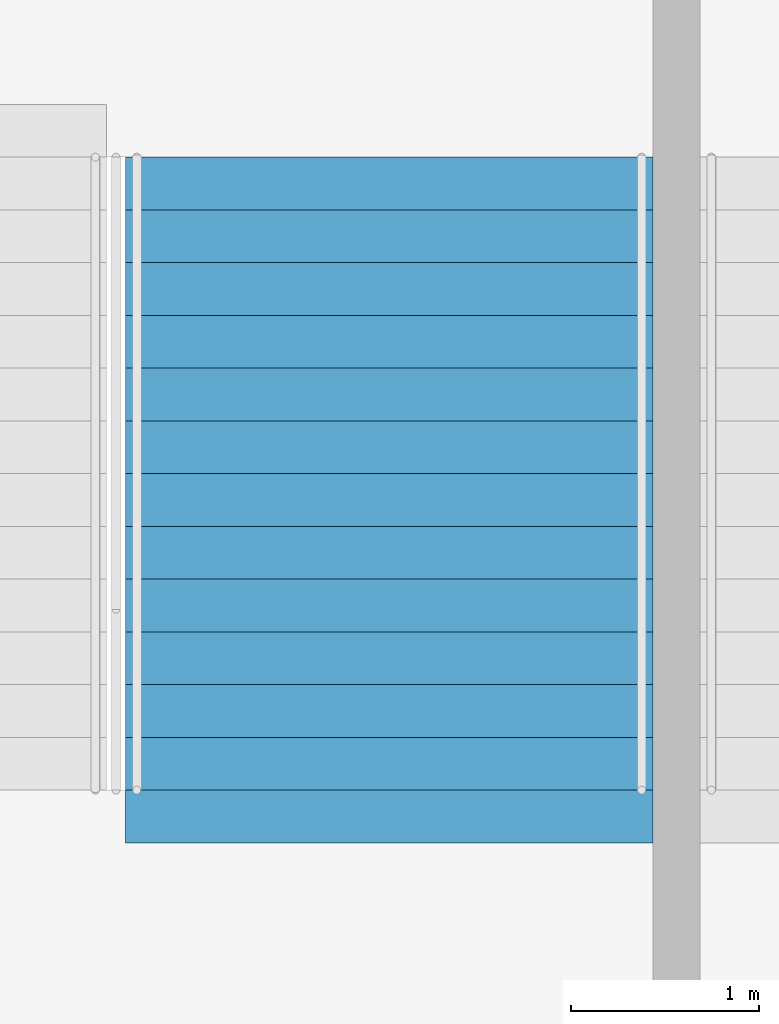
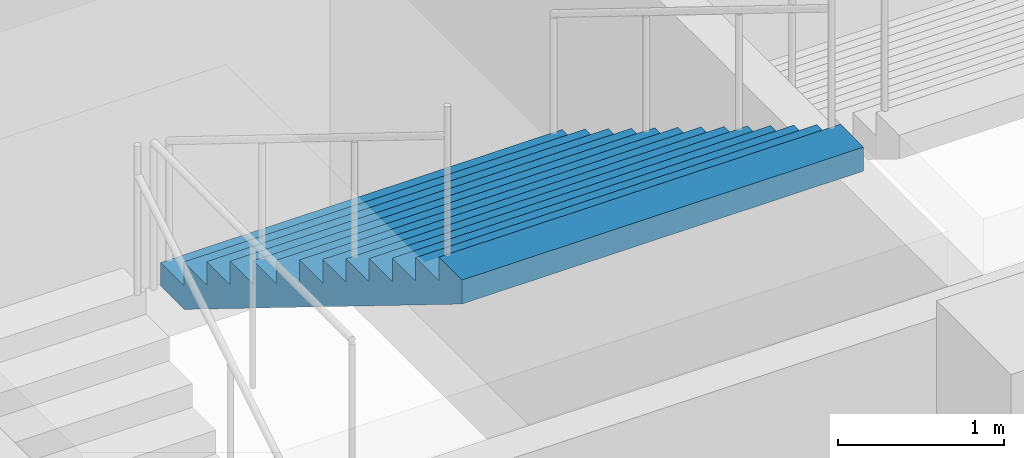
# One storey, part 137 of 175: 1 stair flight, 1 element without a shape of its own.
"""IFC4 building model written with IfcOpenShell, lengths in metres."""

import ifcopenshell
import ifcopenshell.guid

model = None  # the IFC model being written
_history = None  # IfcOwnerHistory: only IFC2X3 demands one
_inside = {}  # id of a spatial element -> (the spatial element, [elements in it])
_under = {}  # id of a project, library or spatial element -> (it, [spatial elements below it])
_declared = {}  # id of a project -> (the project, [libraries it declares])
_typed = {}  # id of a type object -> (the type object, [elements of that type])
_made_of = {}  # id of a material, layer set ... -> (it, [elements and type objects made of it])


def new_model(schema):
    """Start an empty IFC model of exactly this schema.

    Asked for "IFC4X3", IfcOpenShell would pick the latest addendum, in which some entities
    have other attributes; the version numbers below select the first issue.
    IFC2X3 requires an IfcOwnerHistory on every rooted entity: one is made here for all.
    """
    global model, _history
    if schema == "IFC4X3":
        model = ifcopenshell.file(schema_version=(4, 3, 0, 0))
    else:
        model = ifcopenshell.file(schema=schema)
    _inside.clear()
    _under.clear()
    _declared.clear()
    _typed.clear()
    _made_of.clear()
    _history = None
    if model.schema == "IFC2X3":
        org = make("IfcOrganization", Name="unknown")
        user = make(
            "IfcPersonAndOrganization",
            ThePerson=make("IfcPerson", FamilyName="unknown"),
            TheOrganization=org,
        )
        app = make(
            "IfcApplication",
            ApplicationDeveloper=org,
            Version="unknown",
            ApplicationFullName="unknown",
            ApplicationIdentifier="unknown",
        )
        _history = make(
            "IfcOwnerHistory",
            OwningUser=user,
            OwningApplication=app,
            ChangeAction="ADDED",
            CreationDate=0,
        )
    return model


def make(cls, **values):
    """One entity of the class cls with the attributes given. An attribute that is None is left unset."""
    return model.create_entity(
        cls, **{name: value for name, value in values.items() if value is not None}
    )


def rooted(cls, **values):
    """An entity with a GlobalId (a new one), such as an element, a storey or a relation."""
    return make(cls, GlobalId=ifcopenshell.guid.new(), OwnerHistory=_history, **values)


def si_unit(unit_type, name, prefix=None):
    """IfcSIUnit, for example si_unit("LENGTHUNIT", "METRE", prefix="MILLI")."""
    return make("IfcSIUnit", UnitType=unit_type, Prefix=prefix, Name=name)


def assignment(units):
    """IfcUnitAssignment: the units of a project."""
    return None if units is None else make("IfcUnitAssignment", Units=units)


def point(xyz):
    """IfcCartesianPoint."""
    return None if xyz is None else make("IfcCartesianPoint", Coordinates=xyz)


def direction(xyz):
    """IfcDirection."""
    return None if xyz is None else make("IfcDirection", DirectionRatios=xyz)


def frame(location, z_axis=None, x_axis=None):
    """IfcAxis2Placement3D, a coordinate frame: its origin and axes. An axis left out is left unset."""
    return make(
        "IfcAxis2Placement3D",
        Location=point(location),
        Axis=direction(z_axis),
        RefDirection=direction(x_axis),
    )


def origin():
    """The frame at (0, 0, 0) with its axes left unset."""
    return frame((0.0, 0.0, 0.0))


def place(relative_to, where):
    """IfcLocalPlacement: puts the frame where relative to a parent placement (None: the world)."""
    return make(
        "IfcLocalPlacement", PlacementRelTo=relative_to, RelativePlacement=where
    )


def context(
    kind, dimensions, precision=None, world=None, true_north=None, identifier=None
):
    """IfcGeometricRepresentationContext, for example the 3D "Model" context."""
    return make(
        "IfcGeometricRepresentationContext",
        ContextIdentifier=identifier,
        ContextType=kind,
        CoordinateSpaceDimension=dimensions,
        Precision=precision,
        WorldCoordinateSystem=world,
        TrueNorth=true_north,
    )


def subcontext(parent, identifier, kind, view, scale=None):
    """IfcGeometricRepresentationSubContext, for example "Body" below "Model"."""
    return make(
        "IfcGeometricRepresentationSubContext",
        ContextIdentifier=identifier,
        ContextType=kind,
        ParentContext=parent,
        TargetScale=scale,
        TargetView=view,
    )


def project(units=None, contexts=None):
    """IfcProject with its units and contexts."""
    return rooted(
        "IfcProject",
        Name="project",
        RepresentationContexts=contexts,
        UnitsInContext=assignment(units),
    )


def spatial(cls, under=None, at=None, **own):
    """A site, building, storey or space (cls), placed at a placement, below another one or the project."""
    s = rooted(cls, ObjectPlacement=at, **own)
    if under is not None:
        _under.setdefault(under.id(), (under, []))[1].append(s)
    return s


def faces_of(points, faces, orient=None, outer=None):
    """IfcFace entities. A face is a list of loops; a loop is a list of indices into points, from 0.

    orient and outer hold one flag for each loop. By default every Orientation is true, the
    first loop of a face is its IfcFaceOuterBound and the others are IfcFaceBound.
    """
    made = []
    for i, loops in enumerate(faces):
        bounds = []
        for j, loop in enumerate(loops):
            is_outer = j == 0 if outer is None else outer[i][j]
            bounds.append(
                make(
                    "IfcFaceOuterBound" if is_outer else "IfcFaceBound",
                    Bound=make("IfcPolyLoop", Polygon=[points[k] for k in loop]),
                    Orientation=True if orient is None else orient[i][j],
                )
            )
        made.append(make("IfcFace", Bounds=bounds))
    return made


def faceted_brep(points, faces, orient=None, outer=None, voids=None):
    """IfcFacetedBrep: a solid bounded by flat faces; with voids (closed shells), ...WithVoids."""
    shared = [point(p) for p in points]
    hull = make("IfcClosedShell", CfsFaces=faces_of(shared, faces, orient, outer))
    if voids is None:
        return make("IfcFacetedBrep", Outer=hull)
    return make(
        "IfcFacetedBrepWithVoids",
        Outer=hull,
        Voids=[
            make(cls, CfsFaces=faces_of(shared, fs, o, b)) for cls, fs, o, b in voids
        ],
    )


def shape(context_of_items, identifier, shape_type, items):
    """IfcShapeRepresentation: the items that make up one representation, for example the "Body"."""
    return make(
        "IfcShapeRepresentation",
        ContextOfItems=context_of_items,
        RepresentationIdentifier=identifier,
        RepresentationType=shape_type,
        Items=items,
    )


def material(Name=None, Category=None):
    """IfcMaterial."""
    return make("IfcMaterial", Name=Name, Category=Category)


def made_of(thing, what):
    """Note that an element or type object is made of a material, layer set ...; save() writes the relation."""
    if what is not None:
        _made_of.setdefault(what.id(), (what, []))[1].append(thing)
    return thing


def type_object(cls, material=None, **own):
    """A type object (cls), such as IfcWallType, which elements share."""
    return made_of(rooted(cls, **own), material)


def element(
    cls,
    number,
    at=None,
    inside=None,
    cuts=None,
    type_object=None,
    material=None,
    context=None,
    identifier="Body",
    shape_type=None,
    held_by="IfcProductDefinitionShape",
    body=None,
    shapes=None,
    **own,
):
    """One element of the class cls, such as IfcWall. Its Tag is "e" and its number.

    at: its placement. inside: the storey or other place that contains it. cuts: it is an
    opening in that element (IfcRelVoidsElement). A single representation is given by context,
    identifier, shape_type and body (its items); several are given by shapes. held_by: the class
    of the entity that holds the representations. save() writes the other relations.
    """
    e = rooted(cls, Tag="e%d" % number, ObjectPlacement=at, **own)
    if body is not None:
        shapes = [shape(context, identifier, shape_type, body)]
    if shapes is not None:
        e.Representation = make(held_by, Representations=shapes)
    if inside is not None:
        _inside.setdefault(inside.id(), (inside, []))[1].append(e)
    if cuts is not None:
        rooted(
            "IfcRelVoidsElement", RelatingBuildingElement=cuts, RelatedOpeningElement=e
        )
    if type_object is not None:
        _typed.setdefault(type_object.id(), (type_object, []))[1].append(e)
    return made_of(e, material)


def aggregate(whole, parts):
    """IfcRelAggregates: a whole, such as a stair, and the parts it consists of."""
    return rooted("IfcRelAggregates", RelatingObject=whole, RelatedObjects=parts)


def save(model, path):
    """Write the relations noted so far, then the file.

    IfcRelAggregates (storeys below a building ...), IfcRelContainedInSpatialStructure (elements
    in a storey), IfcRelDefinesByType, IfcRelAssociatesMaterial and IfcRelDeclares: one each for
    every whole, place, type object, material and project.
    """
    for whole, parts in _under.values():
        aggregate(whole, parts)
    for where, things in _inside.values():
        rooted(
            "IfcRelContainedInSpatialStructure",
            RelatedElements=things,
            RelatingStructure=where,
        )
    for kind, things in _typed.values():
        rooted("IfcRelDefinesByType", RelatedObjects=things, RelatingType=kind)
    for what, things in _made_of.values():
        rooted("IfcRelAssociatesMaterial", RelatedObjects=things, RelatingMaterial=what)
    for by, libraries in _declared.values():
        rooted("IfcRelDeclares", RelatingContext=by, RelatedDefinitions=libraries)
    model.write(path)


model = new_model("IFC4")

# Units and contexts
model_context = context("Model", 3, precision=1e-05, world=origin(), true_north=direction((0.0, 1.0)))
body_context = subcontext(model_context, "Body", "Model", "MODEL_VIEW")
ifc_project = project(units=[si_unit("LENGTHUNIT", "METRE"), si_unit("AREAUNIT", "SQUARE_METRE"), si_unit("VOLUMEUNIT", "CUBIC_METRE"), si_unit("PLANEANGLEUNIT", "RADIAN"), si_unit("MASSUNIT", "GRAM", prefix="KILO")], contexts=[model_context])

# Site, building, storey
site_placement = place(None, origin())
site = spatial("IfcSite", under=ifc_project, at=site_placement, CompositionType="ELEMENT")
building_placement = place(site_placement, origin())
building = spatial("IfcBuilding", under=site, at=building_placement, Name="Ogive Plaza Stadium", CompositionType="ELEMENT")
storey_placement = place(building_placement, origin())
storey = spatial("IfcBuildingStorey", under=building, at=storey_placement, Name="L00", CompositionType="ELEMENT", Elevation=0.0)

# Stair, stair flight
ifc_material_1 = material(Name="Concrete C40/50", Category="concrete")
stair_type = type_object("IfcStairType", Name="Exit stair", PredefinedType="STRAIGHT_RUN_STAIR", material=ifc_material_1)
stair_placement = place(storey_placement, origin())
stair = element("IfcStair", 1, at=stair_placement, inside=storey, type_object=stair_type, Name="Exit stair ST36B L00 to L01", PredefinedType="STRAIGHT_RUN_STAIR")
ifc_material_2 = material(Name="Concrete C40/50", Category="concrete")
stair_flight_type = type_object("IfcStairFlightType", Name="Exit stair flight", PredefinedType="STRAIGHT", material=ifc_material_2)
stair_flight_placement = place(storey_placement, frame((18.875, 98.2099609375, 2.25), z_axis=(0.0, 0.0, 1.0), x_axis=(0.0, -1.0, 0.0)))
stair_flight = element("IfcStairFlight", 2, at=stair_flight_placement, type_object=stair_flight_type, Name="ST36B flight 2", NumberOfRisers=13, NumberOfTreads=12, PredefinedType="STRAIGHT", RiserHeight=0.173076923, TreadLength=0.28, context=body_context, shape_type="Brep", body=[
    faceted_brep([(0.28515625, -1.39990234375, 0.0), (3.639892578125, -1.39990234375, 2.07373046875), (3.639892578125, -1.39990234375, 2.25), (3.360107421875, -1.39990234375, 2.25), (3.360107421875, -1.39990234375, 2.076904296875), (3.080078125, -1.39990234375, 2.076904296875), (3.080078125, -1.39990234375, 1.90380859375), (2.800048828125, -1.39990234375, 1.90380859375), (2.800048828125, -1.39990234375, 1.730712890625), (2.52001953125, -1.39990234375, 1.730712890625), (2.52001953125, -1.39990234375, 1.5576171875), (2.239990234375, -1.39990234375, 1.5576171875), (2.239990234375, -1.39990234375, 1.384521484375), (1.9599609375, -1.39990234375, 1.384521484375), (1.9599609375, -1.39990234375, 1.21142578125), (1.679931640625, -1.39990234375, 1.21142578125), (1.679931640625, -1.39990234375, 1.03857421875), (1.39990234375, -1.39990234375, 1.03857421875), (1.39990234375, -1.39990234375, 0.865478515625), (1.1201171875, -1.39990234375, 0.865478515625), (1.1201171875, -1.39990234375, 0.6923828125), (0.840087890625, -1.39990234375, 0.6923828125), (0.840087890625, -1.39990234375, 0.519287109375), (0.56005859375, -1.39990234375, 0.519287109375), (0.56005859375, -1.39990234375, 0.34619140625), (0.280029296875, -1.39990234375, 0.34619140625), (0.280029296875, -1.39990234375, 0.173095703125), (0.0, -1.39990234375, 0.173095703125), (0.0, -1.39990234375, 0.0), (0.0, 1.39990234375, 0.0), (0.0, 1.39990234375, 0.173095703125), (0.280029296875, 1.39990234375, 0.173095703125), (0.280029296875, 1.39990234375, 0.34619140625), (0.56005859375, 1.39990234375, 0.34619140625), (0.56005859375, 1.39990234375, 0.519287109375), (0.840087890625, 1.39990234375, 0.519287109375), (0.840087890625, 1.39990234375, 0.6923828125), (1.1201171875, 1.39990234375, 0.6923828125), (1.1201171875, 1.39990234375, 0.865478515625), (1.39990234375, 1.39990234375, 0.865478515625), (1.39990234375, 1.39990234375, 1.03857421875), (1.679931640625, 1.39990234375, 1.03857421875), (1.679931640625, 1.39990234375, 1.21142578125), (1.9599609375, 1.39990234375, 1.21142578125), (1.9599609375, 1.39990234375, 1.384521484375), (2.239990234375, 1.39990234375, 1.384521484375), (2.239990234375, 1.39990234375, 1.5576171875), (2.52001953125, 1.39990234375, 1.5576171875), (2.52001953125, 1.39990234375, 1.730712890625), (2.800048828125, 1.39990234375, 1.730712890625), (2.800048828125, 1.39990234375, 1.90380859375), (3.080078125, 1.39990234375, 1.90380859375), (3.080078125, 1.39990234375, 2.076904296875), (3.360107421875, 1.39990234375, 2.076904296875), (3.360107421875, 1.39990234375, 2.25), (3.639892578125, 1.39990234375, 2.25), (3.639892578125, 1.39990234375, 2.07373046875), (0.28515625, 1.39990234375, 0.0), (0.28515625, -1.0888671875, 0.0), (3.639892578125, -1.0888671875, 2.07373046875), (0.28515625, -0.77783203125, 0.0), (3.639892578125, -0.77783203125, 2.07373046875), (0.28515625, -0.466796875, 0.0), (3.639892578125, -0.466796875, 2.07373046875), (0.28515625, -0.155517578125, 0.0), (3.639892578125, -0.155517578125, 2.07373046875), (0.28515625, 0.155517578125, 0.0), (3.639892578125, 0.155517578125, 2.07373046875), (0.28515625, 0.466796875, 0.0), (3.639892578125, 0.466796875, 2.07373046875), (0.28515625, 0.77783203125, 0.0), (3.639892578125, 0.77783203125, 2.07373046875), (0.28515625, 1.0888671875, 0.0), (3.639892578125, 1.0888671875, 2.07373046875), (3.639892578125, -1.0888671875, 2.25), (3.639892578125, -0.77783203125, 2.25), (3.639892578125, -0.466796875, 2.25), (3.639892578125, -0.155517578125, 2.25), (3.639892578125, 0.155517578125, 2.25), (3.639892578125, 0.466796875, 2.25), (3.639892578125, 0.77783203125, 2.25), (3.639892578125, 1.0888671875, 2.25), (3.360107421875, -1.0888671875, 2.25), (3.360107421875, -0.77783203125, 2.25), (3.360107421875, -0.466796875, 2.25), (3.360107421875, -0.155517578125, 2.25), (3.360107421875, 0.155517578125, 2.25), (3.360107421875, 0.466796875, 2.25), (3.360107421875, 0.77783203125, 2.25), (3.360107421875, 1.0888671875, 2.25), (3.360107421875, -1.0888671875, 2.076904296875), (3.360107421875, -0.77783203125, 2.076904296875), (3.360107421875, -0.466796875, 2.076904296875), (3.360107421875, -0.155517578125, 2.076904296875), (3.360107421875, 0.155517578125, 2.076904296875), (3.360107421875, 0.466796875, 2.076904296875), (3.360107421875, 0.77783203125, 2.076904296875), (3.360107421875, 1.0888671875, 2.076904296875), (3.080078125, -1.0888671875, 2.076904296875), (3.080078125, -0.77783203125, 2.076904296875), (3.080078125, -0.466796875, 2.076904296875), (3.080078125, -0.155517578125, 2.076904296875), (3.080078125, 0.155517578125, 2.076904296875), (3.080078125, 0.466796875, 2.076904296875), (3.080078125, 0.77783203125, 2.076904296875), (3.080078125, 1.0888671875, 2.076904296875), (3.080078125, -1.0888671875, 1.90380859375), (3.080078125, -0.77783203125, 1.90380859375), (3.080078125, -0.466796875, 1.90380859375), (3.080078125, -0.155517578125, 1.90380859375), (3.080078125, 0.155517578125, 1.90380859375), (3.080078125, 0.466796875, 1.90380859375), (3.080078125, 0.77783203125, 1.90380859375), (3.080078125, 1.0888671875, 1.90380859375), (2.800048828125, -1.0888671875, 1.90380859375), (2.800048828125, -0.77783203125, 1.90380859375), (2.800048828125, -0.466796875, 1.90380859375), (2.800048828125, -0.155517578125, 1.90380859375), (2.800048828125, 0.155517578125, 1.90380859375), (2.800048828125, 0.466796875, 1.90380859375), (2.800048828125, 0.77783203125, 1.90380859375), (2.800048828125, 1.0888671875, 1.90380859375), (2.800048828125, -1.0888671875, 1.730712890625), (2.800048828125, -0.77783203125, 1.730712890625), (2.800048828125, -0.466796875, 1.730712890625), (2.800048828125, -0.155517578125, 1.730712890625), (2.800048828125, 0.155517578125, 1.730712890625), (2.800048828125, 0.466796875, 1.730712890625), (2.800048828125, 0.77783203125, 1.730712890625), (2.800048828125, 1.0888671875, 1.730712890625), (2.52001953125, -1.0888671875, 1.730712890625), (2.52001953125, -0.77783203125, 1.730712890625), (2.52001953125, -0.466796875, 1.730712890625), (2.52001953125, -0.155517578125, 1.730712890625), (2.52001953125, 0.155517578125, 1.730712890625), (2.52001953125, 0.466796875, 1.730712890625), (2.52001953125, 0.77783203125, 1.730712890625), (2.52001953125, 1.0888671875, 1.730712890625), (2.52001953125, -1.0888671875, 1.5576171875), (2.52001953125, -0.77783203125, 1.5576171875), (2.52001953125, -0.466796875, 1.5576171875), (2.52001953125, -0.155517578125, 1.5576171875), (2.52001953125, 0.155517578125, 1.5576171875), (2.52001953125, 0.466796875, 1.5576171875), (2.52001953125, 0.77783203125, 1.5576171875), (2.52001953125, 1.0888671875, 1.5576171875), (2.239990234375, -1.0888671875, 1.5576171875), (2.239990234375, -0.77783203125, 1.5576171875), (2.239990234375, -0.466796875, 1.5576171875), (2.239990234375, -0.155517578125, 1.5576171875), (2.239990234375, 0.155517578125, 1.5576171875), (2.239990234375, 0.466796875, 1.5576171875), (2.239990234375, 0.77783203125, 1.5576171875), (2.239990234375, 1.0888671875, 1.5576171875), (2.239990234375, -1.0888671875, 1.384521484375), (2.239990234375, -0.77783203125, 1.384521484375), (2.239990234375, -0.466796875, 1.384521484375), (2.239990234375, -0.155517578125, 1.384521484375), (2.239990234375, 0.155517578125, 1.384521484375), (2.239990234375, 0.466796875, 1.384521484375), (2.239990234375, 0.77783203125, 1.384521484375), (2.239990234375, 1.0888671875, 1.384521484375), (1.9599609375, -1.0888671875, 1.384521484375), (1.9599609375, -0.77783203125, 1.384521484375), (1.9599609375, -0.466796875, 1.384521484375), (1.9599609375, -0.155517578125, 1.384521484375), (1.9599609375, 0.155517578125, 1.384521484375), (1.9599609375, 0.466796875, 1.384521484375), (1.9599609375, 0.77783203125, 1.384521484375), (1.9599609375, 1.0888671875, 1.384521484375), (1.9599609375, -1.0888671875, 1.21142578125), (1.9599609375, -0.77783203125, 1.21142578125), (1.9599609375, -0.466796875, 1.21142578125), (1.9599609375, -0.155517578125, 1.21142578125), (1.9599609375, 0.155517578125, 1.21142578125), (1.9599609375, 0.466796875, 1.21142578125), (1.9599609375, 0.77783203125, 1.21142578125), (1.9599609375, 1.0888671875, 1.21142578125), (1.679931640625, -1.0888671875, 1.21142578125), (1.679931640625, -0.77783203125, 1.21142578125), (1.679931640625, -0.466796875, 1.21142578125), (1.679931640625, -0.155517578125, 1.21142578125), (1.679931640625, 0.155517578125, 1.21142578125), (1.679931640625, 0.466796875, 1.21142578125), (1.679931640625, 0.77783203125, 1.21142578125), (1.679931640625, 1.0888671875, 1.21142578125), (1.679931640625, -1.0888671875, 1.03857421875), (1.679931640625, -0.77783203125, 1.03857421875), (1.679931640625, -0.466796875, 1.03857421875), (1.679931640625, -0.155517578125, 1.03857421875), (1.679931640625, 0.155517578125, 1.03857421875), (1.679931640625, 0.466796875, 1.03857421875), (1.679931640625, 0.77783203125, 1.03857421875), (1.679931640625, 1.0888671875, 1.03857421875), (1.39990234375, -1.0888671875, 1.03857421875), (1.39990234375, -0.77783203125, 1.03857421875), (1.39990234375, -0.466796875, 1.03857421875), (1.39990234375, -0.155517578125, 1.03857421875), (1.39990234375, 0.155517578125, 1.03857421875), (1.39990234375, 0.466796875, 1.03857421875), (1.39990234375, 0.77783203125, 1.03857421875), (1.39990234375, 1.0888671875, 1.03857421875), (1.39990234375, -1.0888671875, 0.865478515625), (1.39990234375, -0.77783203125, 0.865478515625), (1.39990234375, -0.466796875, 0.865478515625), (1.39990234375, -0.155517578125, 0.865478515625), (1.39990234375, 0.155517578125, 0.865478515625), (1.39990234375, 0.466796875, 0.865478515625), (1.39990234375, 0.77783203125, 0.865478515625), (1.39990234375, 1.0888671875, 0.865478515625), (1.1201171875, -1.0888671875, 0.865478515625), (1.1201171875, -0.77783203125, 0.865478515625), (1.1201171875, -0.466796875, 0.865478515625), (1.1201171875, -0.155517578125, 0.865478515625), (1.1201171875, 0.155517578125, 0.865478515625), (1.1201171875, 0.466796875, 0.865478515625), (1.1201171875, 0.77783203125, 0.865478515625), (1.1201171875, 1.0888671875, 0.865478515625), (1.1201171875, -1.0888671875, 0.6923828125), (1.1201171875, -0.77783203125, 0.6923828125), (1.1201171875, -0.466796875, 0.6923828125), (1.1201171875, -0.155517578125, 0.6923828125), (1.1201171875, 0.155517578125, 0.6923828125), (1.1201171875, 0.466796875, 0.6923828125), (1.1201171875, 0.77783203125, 0.6923828125), (1.1201171875, 1.0888671875, 0.6923828125), (0.840087890625, -1.0888671875, 0.6923828125), (0.840087890625, -0.77783203125, 0.6923828125), (0.840087890625, -0.466796875, 0.6923828125), (0.840087890625, -0.155517578125, 0.6923828125), (0.840087890625, 0.155517578125, 0.6923828125), (0.840087890625, 0.466796875, 0.6923828125), (0.840087890625, 0.77783203125, 0.6923828125), (0.840087890625, 1.0888671875, 0.6923828125), (0.840087890625, -1.0888671875, 0.519287109375), (0.840087890625, -0.77783203125, 0.519287109375), (0.840087890625, -0.466796875, 0.519287109375), (0.840087890625, -0.155517578125, 0.519287109375), (0.840087890625, 0.155517578125, 0.519287109375), (0.840087890625, 0.466796875, 0.519287109375), (0.840087890625, 0.77783203125, 0.519287109375), (0.840087890625, 1.0888671875, 0.519287109375), (0.56005859375, -1.0888671875, 0.519287109375), (0.56005859375, -0.77783203125, 0.519287109375), (0.56005859375, -0.466796875, 0.519287109375), (0.56005859375, -0.155517578125, 0.519287109375), (0.56005859375, 0.155517578125, 0.519287109375), (0.56005859375, 0.466796875, 0.519287109375), (0.56005859375, 0.77783203125, 0.519287109375), (0.56005859375, 1.0888671875, 0.519287109375), (0.56005859375, -1.0888671875, 0.34619140625), (0.56005859375, -0.77783203125, 0.34619140625), (0.56005859375, -0.466796875, 0.34619140625), (0.56005859375, -0.155517578125, 0.34619140625), (0.56005859375, 0.155517578125, 0.34619140625), (0.56005859375, 0.466796875, 0.34619140625), (0.56005859375, 0.77783203125, 0.34619140625), (0.56005859375, 1.0888671875, 0.34619140625), (0.280029296875, -1.0888671875, 0.34619140625), (0.280029296875, -0.77783203125, 0.34619140625), (0.280029296875, -0.466796875, 0.34619140625), (0.280029296875, -0.155517578125, 0.34619140625), (0.280029296875, 0.155517578125, 0.34619140625), (0.280029296875, 0.466796875, 0.34619140625), (0.280029296875, 0.77783203125, 0.34619140625), (0.280029296875, 1.0888671875, 0.34619140625), (0.280029296875, -1.0888671875, 0.173095703125), (0.280029296875, -0.77783203125, 0.173095703125), (0.280029296875, -0.466796875, 0.173095703125), (0.280029296875, -0.155517578125, 0.173095703125), (0.280029296875, 0.155517578125, 0.173095703125), (0.280029296875, 0.466796875, 0.173095703125), (0.280029296875, 0.77783203125, 0.173095703125), (0.280029296875, 1.0888671875, 0.173095703125), (0.0, -1.0888671875, 0.173095703125), (0.0, -0.77783203125, 0.173095703125), (0.0, -0.466796875, 0.173095703125), (0.0, -0.155517578125, 0.173095703125), (0.0, 0.155517578125, 0.173095703125), (0.0, 0.466796875, 0.173095703125), (0.0, 0.77783203125, 0.173095703125), (0.0, 1.0888671875, 0.173095703125), (0.0, -1.0888671875, 0.0), (0.0, -0.77783203125, 0.0), (0.0, -0.466796875, 0.0), (0.0, -0.155517578125, 0.0), (0.0, 0.155517578125, 0.0), (0.0, 0.466796875, 0.0), (0.0, 0.77783203125, 0.0), (0.0, 1.0888671875, 0.0)], [[[0, 1, 2, 3, 4, 5, 6, 7, 8, 9, 10, 11, 12, 13, 14, 15, 16, 17, 18, 19, 20, 21, 22, 23, 24, 25, 26, 27, 28]], [[29, 30, 31, 32, 33, 34, 35, 36, 37, 38, 39, 40, 41, 42, 43, 44, 45, 46, 47, 48, 49, 50, 51, 52, 53, 54, 55, 56, 57]], [[0, 58, 59, 1]], [[58, 60, 61, 59]], [[60, 62, 63, 61]], [[62, 64, 65, 63]], [[64, 66, 67, 65]], [[66, 68, 69, 67]], [[68, 70, 71, 69]], [[70, 72, 73, 71]], [[72, 57, 56, 73]], [[1, 59, 74, 2]], [[59, 61, 75, 74]], [[61, 63, 76, 75]], [[63, 65, 77, 76]], [[65, 67, 78, 77]], [[67, 69, 79, 78]], [[69, 71, 80, 79]], [[71, 73, 81, 80]], [[73, 56, 55, 81]], [[2, 74, 82, 3]], [[74, 75, 83, 82]], [[75, 76, 84, 83]], [[76, 77, 85, 84]], [[77, 78, 86, 85]], [[78, 79, 87, 86]], [[79, 80, 88, 87]], [[80, 81, 89, 88]], [[81, 55, 54, 89]], [[3, 82, 90, 4]], [[82, 83, 91, 90]], [[83, 84, 92, 91]], [[84, 85, 93, 92]], [[85, 86, 94, 93]], [[86, 87, 95, 94]], [[87, 88, 96, 95]], [[88, 89, 97, 96]], [[89, 54, 53, 97]], [[4, 90, 98, 5]], [[90, 91, 99, 98]], [[91, 92, 100, 99]], [[92, 93, 101, 100]], [[93, 94, 102, 101]], [[94, 95, 103, 102]], [[95, 96, 104, 103]], [[96, 97, 105, 104]], [[97, 53, 52, 105]], [[5, 98, 106, 6]], [[98, 99, 107, 106]], [[99, 100, 108, 107]], [[100, 101, 109, 108]], [[101, 102, 110, 109]], [[102, 103, 111, 110]], [[103, 104, 112, 111]], [[104, 105, 113, 112]], [[105, 52, 51, 113]], [[6, 106, 114, 7]], [[106, 107, 115, 114]], [[107, 108, 116, 115]], [[108, 109, 117, 116]], [[109, 110, 118, 117]], [[110, 111, 119, 118]], [[111, 112, 120, 119]], [[112, 113, 121, 120]], [[113, 51, 50, 121]], [[7, 114, 122, 8]], [[114, 115, 123, 122]], [[115, 116, 124, 123]], [[116, 117, 125, 124]], [[117, 118, 126, 125]], [[118, 119, 127, 126]], [[119, 120, 128, 127]], [[120, 121, 129, 128]], [[121, 50, 49, 129]], [[8, 122, 130, 9]], [[122, 123, 131, 130]], [[123, 124, 132, 131]], [[124, 125, 133, 132]], [[125, 126, 134, 133]], [[126, 127, 135, 134]], [[127, 128, 136, 135]], [[128, 129, 137, 136]], [[129, 49, 48, 137]], [[9, 130, 138, 10]], [[130, 131, 139, 138]], [[131, 132, 140, 139]], [[132, 133, 141, 140]], [[133, 134, 142, 141]], [[134, 135, 143, 142]], [[135, 136, 144, 143]], [[136, 137, 145, 144]], [[137, 48, 47, 145]], [[10, 138, 146, 11]], [[138, 139, 147, 146]], [[139, 140, 148, 147]], [[140, 141, 149, 148]], [[141, 142, 150, 149]], [[142, 143, 151, 150]], [[143, 144, 152, 151]], [[144, 145, 153, 152]], [[145, 47, 46, 153]], [[11, 146, 154, 12]], [[146, 147, 155, 154]], [[147, 148, 156, 155]], [[148, 149, 157, 156]], [[149, 150, 158, 157]], [[150, 151, 159, 158]], [[151, 152, 160, 159]], [[152, 153, 161, 160]], [[153, 46, 45, 161]], [[12, 154, 162, 13]], [[154, 155, 163, 162]], [[155, 156, 164, 163]], [[156, 157, 165, 164]], [[157, 158, 166, 165]], [[158, 159, 167, 166]], [[159, 160, 168, 167]], [[160, 161, 169, 168]], [[161, 45, 44, 169]], [[13, 162, 170, 14]], [[162, 163, 171, 170]], [[163, 164, 172, 171]], [[164, 165, 173, 172]], [[165, 166, 174, 173]], [[166, 167, 175, 174]], [[167, 168, 176, 175]], [[168, 169, 177, 176]], [[169, 44, 43, 177]], [[14, 170, 178, 15]], [[170, 171, 179, 178]], [[171, 172, 180, 179]], [[172, 173, 181, 180]], [[173, 174, 182, 181]], [[174, 175, 183, 182]], [[175, 176, 184, 183]], [[176, 177, 185, 184]], [[177, 43, 42, 185]], [[15, 178, 186, 16]], [[178, 179, 187, 186]], [[179, 180, 188, 187]], [[180, 181, 189, 188]], [[181, 182, 190, 189]], [[182, 183, 191, 190]], [[183, 184, 192, 191]], [[184, 185, 193, 192]], [[185, 42, 41, 193]], [[16, 186, 194, 17]], [[186, 187, 195, 194]], [[187, 188, 196, 195]], [[188, 189, 197, 196]], [[189, 190, 198, 197]], [[190, 191, 199, 198]], [[191, 192, 200, 199]], [[192, 193, 201, 200]], [[193, 41, 40, 201]], [[17, 194, 202, 18]], [[194, 195, 203, 202]], [[195, 196, 204, 203]], [[196, 197, 205, 204]], [[197, 198, 206, 205]], [[198, 199, 207, 206]], [[199, 200, 208, 207]], [[200, 201, 209, 208]], [[201, 40, 39, 209]], [[18, 202, 210, 19]], [[202, 203, 211, 210]], [[203, 204, 212, 211]], [[204, 205, 213, 212]], [[205, 206, 214, 213]], [[206, 207, 215, 214]], [[207, 208, 216, 215]], [[208, 209, 217, 216]], [[209, 39, 38, 217]], [[19, 210, 218, 20]], [[210, 211, 219, 218]], [[211, 212, 220, 219]], [[212, 213, 221, 220]], [[213, 214, 222, 221]], [[214, 215, 223, 222]], [[215, 216, 224, 223]], [[216, 217, 225, 224]], [[217, 38, 37, 225]], [[20, 218, 226, 21]], [[218, 219, 227, 226]], [[219, 220, 228, 227]], [[220, 221, 229, 228]], [[221, 222, 230, 229]], [[222, 223, 231, 230]], [[223, 224, 232, 231]], [[224, 225, 233, 232]], [[225, 37, 36, 233]], [[21, 226, 234, 22]], [[226, 227, 235, 234]], [[227, 228, 236, 235]], [[228, 229, 237, 236]], [[229, 230, 238, 237]], [[230, 231, 239, 238]], [[231, 232, 240, 239]], [[232, 233, 241, 240]], [[233, 36, 35, 241]], [[22, 234, 242, 23]], [[234, 235, 243, 242]], [[235, 236, 244, 243]], [[236, 237, 245, 244]], [[237, 238, 246, 245]], [[238, 239, 247, 246]], [[239, 240, 248, 247]], [[240, 241, 249, 248]], [[241, 35, 34, 249]], [[23, 242, 250, 24]], [[242, 243, 251, 250]], [[243, 244, 252, 251]], [[244, 245, 253, 252]], [[245, 246, 254, 253]], [[246, 247, 255, 254]], [[247, 248, 256, 255]], [[248, 249, 257, 256]], [[249, 34, 33, 257]], [[24, 250, 258, 25]], [[250, 251, 259, 258]], [[251, 252, 260, 259]], [[252, 253, 261, 260]], [[253, 254, 262, 261]], [[254, 255, 263, 262]], [[255, 256, 264, 263]], [[256, 257, 265, 264]], [[257, 33, 32, 265]], [[25, 258, 266, 26]], [[258, 259, 267, 266]], [[259, 260, 268, 267]], [[260, 261, 269, 268]], [[261, 262, 270, 269]], [[262, 263, 271, 270]], [[263, 264, 272, 271]], [[264, 265, 273, 272]], [[265, 32, 31, 273]], [[26, 266, 274, 27]], [[266, 267, 275, 274]], [[267, 268, 276, 275]], [[268, 269, 277, 276]], [[269, 270, 278, 277]], [[270, 271, 279, 278]], [[271, 272, 280, 279]], [[272, 273, 281, 280]], [[273, 31, 30, 281]], [[27, 274, 282, 28]], [[274, 275, 283, 282]], [[275, 276, 284, 283]], [[276, 277, 285, 284]], [[277, 278, 286, 285]], [[278, 279, 287, 286]], [[279, 280, 288, 287]], [[280, 281, 289, 288]], [[281, 30, 29, 289]], [[28, 282, 58, 0]], [[282, 283, 60, 58]], [[283, 284, 62, 60]], [[284, 285, 64, 62]], [[285, 286, 66, 64]], [[286, 287, 68, 66]], [[287, 288, 70, 68]], [[288, 289, 72, 70]], [[289, 29, 57, 72]]]),
])
aggregate(stair, [stair_flight])

save(model, "model.ifc")
